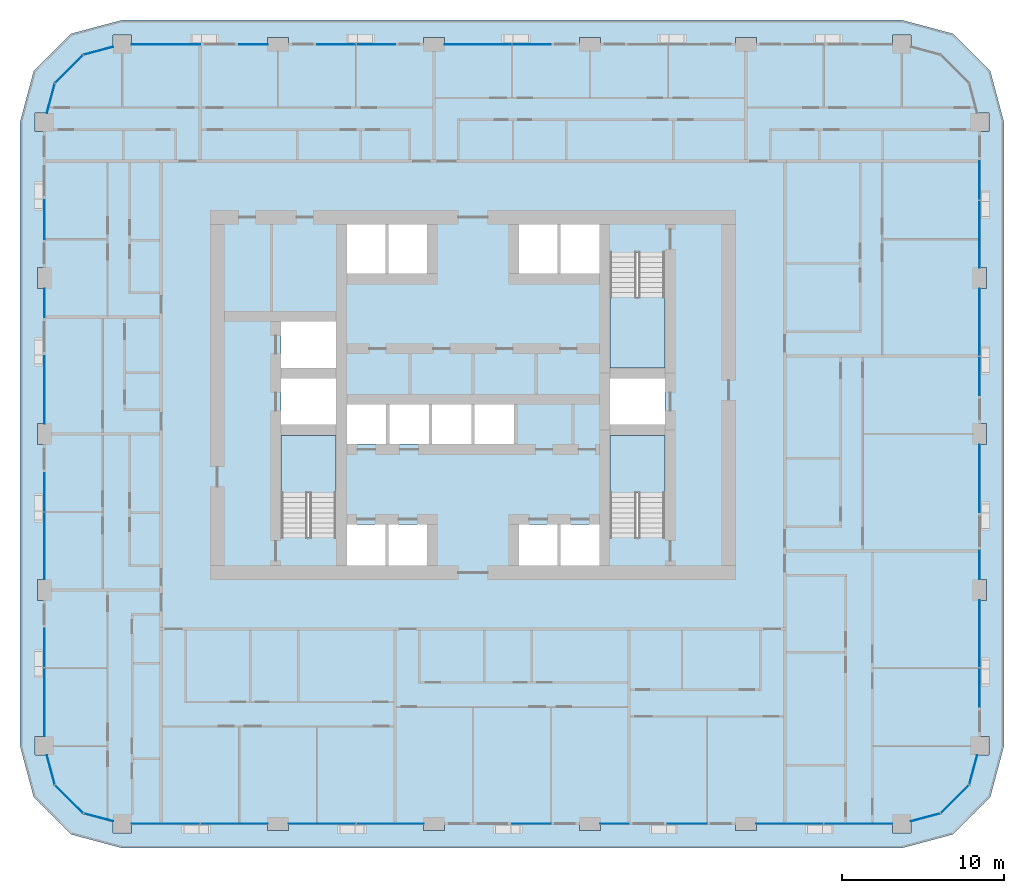
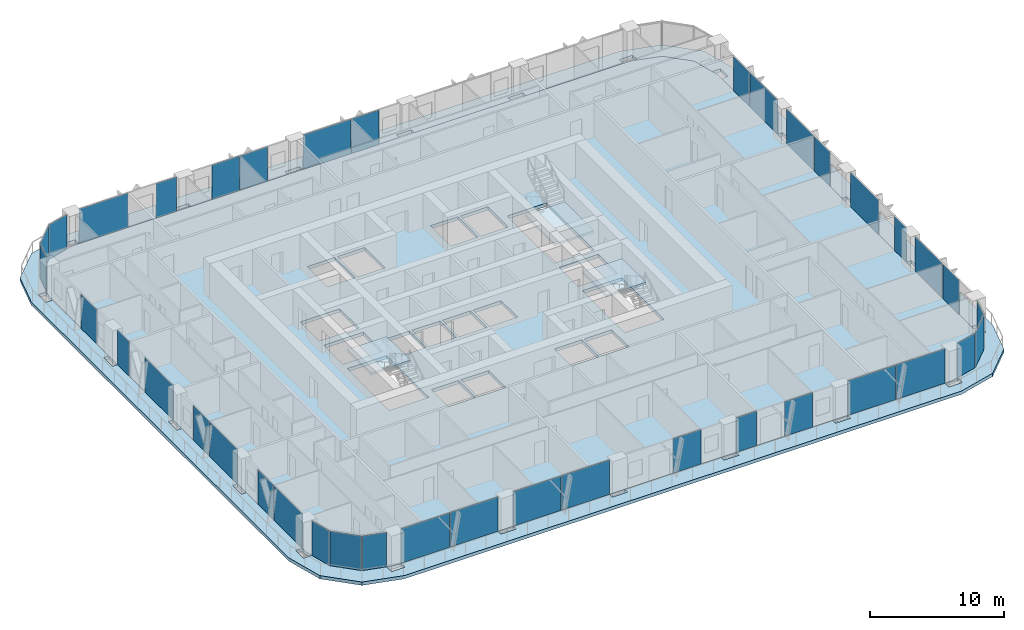
# One storey, part 7 of 22: 39 plates, 5 slabs, 22 elements without a shape of their own.
"""IFC4 building model written with IfcOpenShell, lengths in metres."""

import ifcopenshell
import ifcopenshell.guid

model = None  # the IFC model being written
_history = None  # IfcOwnerHistory: only IFC2X3 demands one
_inside = {}  # id of a spatial element -> (the spatial element, [elements in it])
_under = {}  # id of a project, library or spatial element -> (it, [spatial elements below it])
_declared = {}  # id of a project -> (the project, [libraries it declares])
_typed = {}  # id of a type object -> (the type object, [elements of that type])
_made_of = {}  # id of a material, layer set ... -> (it, [elements and type objects made of it])


def new_model(schema):
    """Start an empty IFC model of exactly this schema.

    Asked for "IFC4X3", IfcOpenShell would pick the latest addendum, in which some entities
    have other attributes; the version numbers below select the first issue.
    IFC2X3 requires an IfcOwnerHistory on every rooted entity: one is made here for all.
    """
    global model, _history
    if schema == "IFC4X3":
        model = ifcopenshell.file(schema_version=(4, 3, 0, 0))
    else:
        model = ifcopenshell.file(schema=schema)
    _inside.clear()
    _under.clear()
    _declared.clear()
    _typed.clear()
    _made_of.clear()
    _history = None
    if model.schema == "IFC2X3":
        org = make("IfcOrganization", Name="unknown")
        user = make(
            "IfcPersonAndOrganization",
            ThePerson=make("IfcPerson", FamilyName="unknown"),
            TheOrganization=org,
        )
        app = make(
            "IfcApplication",
            ApplicationDeveloper=org,
            Version="unknown",
            ApplicationFullName="unknown",
            ApplicationIdentifier="unknown",
        )
        _history = make(
            "IfcOwnerHistory",
            OwningUser=user,
            OwningApplication=app,
            ChangeAction="ADDED",
            CreationDate=0,
        )
    return model


def make(cls, **values):
    """One entity of the class cls with the attributes given. An attribute that is None is left unset."""
    return model.create_entity(
        cls, **{name: value for name, value in values.items() if value is not None}
    )


def rooted(cls, **values):
    """An entity with a GlobalId (a new one), such as an element, a storey or a relation."""
    return make(cls, GlobalId=ifcopenshell.guid.new(), OwnerHistory=_history, **values)


def si_unit(unit_type, name, prefix=None):
    """IfcSIUnit, for example si_unit("LENGTHUNIT", "METRE", prefix="MILLI")."""
    return make("IfcSIUnit", UnitType=unit_type, Prefix=prefix, Name=name)


def assignment(units):
    """IfcUnitAssignment: the units of a project."""
    return None if units is None else make("IfcUnitAssignment", Units=units)


def point(xyz):
    """IfcCartesianPoint."""
    return None if xyz is None else make("IfcCartesianPoint", Coordinates=xyz)


def direction(xyz):
    """IfcDirection."""
    return None if xyz is None else make("IfcDirection", DirectionRatios=xyz)


def frame(location, z_axis=None, x_axis=None):
    """IfcAxis2Placement3D, a coordinate frame: its origin and axes. An axis left out is left unset."""
    return make(
        "IfcAxis2Placement3D",
        Location=point(location),
        Axis=direction(z_axis),
        RefDirection=direction(x_axis),
    )


def frame_2d(location, x_axis=None):
    """IfcAxis2Placement2D, a coordinate frame in the plane: its origin and x axis."""
    return make(
        "IfcAxis2Placement2D", Location=point(location), RefDirection=direction(x_axis)
    )


def origin():
    """The frame at (0, 0, 0) with its axes left unset."""
    return frame((0.0, 0.0, 0.0))


def origin_2d():
    """The frame at (0, 0) in the plane with its x axis left unset."""
    return frame_2d((0.0, 0.0))


def place(relative_to, where):
    """IfcLocalPlacement: puts the frame where relative to a parent placement (None: the world)."""
    return make(
        "IfcLocalPlacement", PlacementRelTo=relative_to, RelativePlacement=where
    )


def context(
    kind, dimensions, precision=None, world=None, true_north=None, identifier=None
):
    """IfcGeometricRepresentationContext, for example the 3D "Model" context."""
    return make(
        "IfcGeometricRepresentationContext",
        ContextIdentifier=identifier,
        ContextType=kind,
        CoordinateSpaceDimension=dimensions,
        Precision=precision,
        WorldCoordinateSystem=world,
        TrueNorth=true_north,
    )


def subcontext(parent, identifier, kind, view, scale=None):
    """IfcGeometricRepresentationSubContext, for example "Body" below "Model"."""
    return make(
        "IfcGeometricRepresentationSubContext",
        ContextIdentifier=identifier,
        ContextType=kind,
        ParentContext=parent,
        TargetScale=scale,
        TargetView=view,
    )


def project(units=None, contexts=None):
    """IfcProject with its units and contexts."""
    return rooted(
        "IfcProject",
        Name="project",
        RepresentationContexts=contexts,
        UnitsInContext=assignment(units),
    )


def spatial(cls, under=None, at=None, **own):
    """A site, building, storey or space (cls), placed at a placement, below another one or the project."""
    s = rooted(cls, ObjectPlacement=at, **own)
    if under is not None:
        _under.setdefault(under.id(), (under, []))[1].append(s)
    return s


def polyline(points):
    """IfcPolyline through the points."""
    return make("IfcPolyline", Points=[point(p) for p in points])


def profile(cls, at=None, kind="AREA", **sizes):
    """A parametric profile (cls). Its sizes go by their IFC names, for example OverallWidth=200.0."""
    return make(cls, ProfileType=kind, Position=at, **sizes)


def rectangle(**sizes):
    """IfcRectangleProfileDef."""
    return profile("IfcRectangleProfileDef", **sizes)


def outline(outer, holes=None, kind="AREA"):
    """IfcArbitraryClosedProfileDef: a profile drawn as a closed curve; with holes, ...WithVoids."""
    if holes is None:
        return make("IfcArbitraryClosedProfileDef", ProfileType=kind, OuterCurve=outer)
    return make(
        "IfcArbitraryProfileDefWithVoids",
        ProfileType=kind,
        OuterCurve=outer,
        InnerCurves=holes,
    )


def extrude(swept, where, along, depth):
    """IfcExtrudedAreaSolid: the profile swept, set in the frame where, extruded along a direction by depth."""
    return make(
        "IfcExtrudedAreaSolid",
        SweptArea=swept,
        Position=where,
        ExtrudedDirection=direction(along),
        Depth=depth,
    )


def shape(context_of_items, identifier, shape_type, items):
    """IfcShapeRepresentation: the items that make up one representation, for example the "Body"."""
    return make(
        "IfcShapeRepresentation",
        ContextOfItems=context_of_items,
        RepresentationIdentifier=identifier,
        RepresentationType=shape_type,
        Items=items,
    )


def material(Name=None, Category=None):
    """IfcMaterial."""
    return make("IfcMaterial", Name=Name, Category=Category)


def layer(
    of_material, thickness, ventilated=None, Name=None, Category=None, Priority=None
):
    """IfcMaterialLayer: one layer of a wall or slab, of a material (None: an air gap)."""
    return make(
        "IfcMaterialLayer",
        Material=of_material,
        LayerThickness=thickness,
        IsVentilated=ventilated,
        Name=Name,
        Category=Category,
        Priority=Priority,
    )


def layer_set(layers, Name=None):
    """IfcMaterialLayerSet."""
    return make("IfcMaterialLayerSet", MaterialLayers=layers, LayerSetName=Name)


def made_of(thing, what):
    """Note that an element or type object is made of a material, layer set ...; save() writes the relation."""
    if what is not None:
        _made_of.setdefault(what.id(), (what, []))[1].append(thing)
    return thing


def type_object(cls, material=None, **own):
    """A type object (cls), such as IfcWallType, which elements share."""
    return made_of(rooted(cls, **own), material)


def element(
    cls,
    number,
    at=None,
    inside=None,
    cuts=None,
    type_object=None,
    material=None,
    context=None,
    identifier="Body",
    shape_type=None,
    held_by="IfcProductDefinitionShape",
    body=None,
    shapes=None,
    **own,
):
    """One element of the class cls, such as IfcWall. Its Tag is "e" and its number.

    at: its placement. inside: the storey or other place that contains it. cuts: it is an
    opening in that element (IfcRelVoidsElement). A single representation is given by context,
    identifier, shape_type and body (its items); several are given by shapes. held_by: the class
    of the entity that holds the representations. save() writes the other relations.
    """
    e = rooted(cls, Tag="e%d" % number, ObjectPlacement=at, **own)
    if body is not None:
        shapes = [shape(context, identifier, shape_type, body)]
    if shapes is not None:
        e.Representation = make(held_by, Representations=shapes)
    if inside is not None:
        _inside.setdefault(inside.id(), (inside, []))[1].append(e)
    if cuts is not None:
        rooted(
            "IfcRelVoidsElement", RelatingBuildingElement=cuts, RelatedOpeningElement=e
        )
    if type_object is not None:
        _typed.setdefault(type_object.id(), (type_object, []))[1].append(e)
    return made_of(e, material)


def aggregate(whole, parts):
    """IfcRelAggregates: a whole, such as a stair, and the parts it consists of."""
    return rooted("IfcRelAggregates", RelatingObject=whole, RelatedObjects=parts)


def save(model, path):
    """Write the relations noted so far, then the file.

    IfcRelAggregates (storeys below a building ...), IfcRelContainedInSpatialStructure (elements
    in a storey), IfcRelDefinesByType, IfcRelAssociatesMaterial and IfcRelDeclares: one each for
    every whole, place, type object, material and project.
    """
    for whole, parts in _under.values():
        aggregate(whole, parts)
    for where, things in _inside.values():
        rooted(
            "IfcRelContainedInSpatialStructure",
            RelatedElements=things,
            RelatingStructure=where,
        )
    for kind, things in _typed.values():
        rooted("IfcRelDefinesByType", RelatedObjects=things, RelatingType=kind)
    for what, things in _made_of.values():
        rooted("IfcRelAssociatesMaterial", RelatedObjects=things, RelatingMaterial=what)
    for by, libraries in _declared.values():
        rooted("IfcRelDeclares", RelatingContext=by, RelatedDefinitions=libraries)
    model.write(path)


model = new_model("IFC4")

# Units and contexts
model_context = context("Model", 3, precision=1e-05, world=origin(), true_north=direction((0.0, 1.0)))
body_context = subcontext(model_context, "Body", "Model", "MODEL_VIEW")
ifc_project = project(units=[si_unit("LENGTHUNIT", "METRE"), si_unit("AREAUNIT", "SQUARE_METRE"), si_unit("VOLUMEUNIT", "CUBIC_METRE"), si_unit("PLANEANGLEUNIT", "RADIAN"), si_unit("MASSUNIT", "GRAM", prefix="KILO")], contexts=[model_context])

# Site, building, storey
site_placement = place(None, origin())
site = spatial("IfcSite", under=ifc_project, at=site_placement, CompositionType="ELEMENT")
building_placement = place(site_placement, origin())
building = spatial("IfcBuilding", under=site, at=building_placement, Name="Madar Terraces", CompositionType="ELEMENT")
storey_placement = place(building_placement, frame((0.0, 0.0, 59.300048828125)))
storey = spatial("IfcBuildingStorey", under=building, at=storey_placement, Name="L14", CompositionType="ELEMENT", Elevation=59.300048828125)

# Slabs
ifc_material_1 = material(Name="Concrete C50/60", Category="concrete")
ifc_layer_1 = layer(ifc_material_1, 0.300048828125)
ifc_layer_set_1 = layer_set([ifc_layer_1], Name="Balcony band 300")
slab_type_1 = type_object("IfcSlabType", Name="Balcony band 300", PredefinedType="FLOOR", material=ifc_layer_set_1)
slab_1_placement = place(storey_placement, frame((0.0, 0.0, -0.300048828125)))
element("IfcSlab", 1, at=slab_1_placement, inside=storey, type_object=slab_type_1, Name="Balcony band", PredefinedType="FLOOR", context=body_context, shape_type="SweptSolid", body=[
    extrude(outline(polyline([(9.60009765625, -1.5), (6.449951171875, -0.656005859375), (4.14404296875, 1.64990234375), (3.300048828125, 4.800048828125), (3.300048828125, 43.199951171875), (4.14404296875, 46.35009765625), (6.449951171875, 48.656005859375), (9.60009765625, 49.5), (57.60009765625, 49.5), (60.75, 48.656005859375), (63.055908203125, 46.35009765625), (63.89990234375, 43.199951171875), (63.89990234375, 4.800048828125), (63.055908203125, 1.64990234375), (60.75, -0.656005859375), (57.60009765625, -1.5), (9.60009765625, -1.5)]), holes=[polyline([(10.175048828125, -0.574951171875), (10.175048828125, 0.0), (18.550048828125, 0.0), (18.550048828125, -0.425048828125), (19.85009765625, -0.425048828125), (19.85009765625, 0.0), (28.14990234375, 0.0), (28.14990234375, -0.425048828125), (29.449951171875, -0.425048828125), (29.449951171875, 0.0), (37.75, 0.0), (37.75, -0.425048828125), (39.050048828125, -0.425048828125), (39.050048828125, 0.0), (47.35009765625, 0.0), (47.35009765625, -0.425048828125), (48.64990234375, -0.425048828125), (48.64990234375, 0.0), (57.02490234375, 0.0), (57.02490234375, -0.574951171875), (58.175048828125, -0.574951171875), (58.175048828125, 0.154052734375), (60.0, 0.64306640625), (61.7568359375, 2.39990234375), (62.245849609375, 4.22509765625), (62.97509765625, 4.22509765625), (62.97509765625, 5.375), (62.39990234375, 5.375), (62.39990234375, 13.75), (62.824951171875, 13.75), (62.824951171875, 15.050048828125), (62.39990234375, 15.050048828125), (62.39990234375, 23.35009765625), (62.824951171875, 23.35009765625), (62.824951171875, 24.64990234375), (62.39990234375, 24.64990234375), (62.39990234375, 32.949951171875), (62.824951171875, 32.949951171875), (62.824951171875, 34.25), (62.39990234375, 34.25), (62.39990234375, 42.625), (62.97509765625, 42.625), (62.97509765625, 43.77490234375), (62.245849609375, 43.77490234375), (61.7568359375, 45.60009765625), (60.0, 47.35693359375), (58.175048828125, 47.845947265625), (58.175048828125, 48.574951171875), (57.02490234375, 48.574951171875), (57.02490234375, 48.0), (48.64990234375, 48.0), (48.64990234375, 48.425048828125), (47.35009765625, 48.425048828125), (47.35009765625, 48.0), (39.050048828125, 48.0), (39.050048828125, 48.425048828125), (37.75, 48.425048828125), (37.75, 48.0), (29.449951171875, 48.0), (29.449951171875, 48.425048828125), (28.14990234375, 48.425048828125), (28.14990234375, 48.0), (19.85009765625, 48.0), (19.85009765625, 48.425048828125), (18.550048828125, 48.425048828125), (18.550048828125, 48.0), (10.175048828125, 48.0), (10.175048828125, 48.574951171875), (9.02490234375, 48.574951171875), (9.02490234375, 47.845947265625), (7.199951171875, 47.35693359375), (5.443115234375, 45.60009765625), (4.9541015625, 43.77490234375), (4.22509765625, 43.77490234375), (4.22509765625, 42.625), (4.800048828125, 42.625), (4.800048828125, 34.25), (4.375, 34.25), (4.375, 32.949951171875), (4.800048828125, 32.949951171875), (4.800048828125, 24.64990234375), (4.375, 24.64990234375), (4.375, 23.35009765625), (4.800048828125, 23.35009765625), (4.800048828125, 15.050048828125), (4.375, 15.050048828125), (4.375, 13.75), (4.800048828125, 13.75), (4.800048828125, 5.375), (4.22509765625, 5.375), (4.22509765625, 4.22509765625), (4.9541015625, 4.22509765625), (5.443115234375, 2.39990234375), (7.199951171875, 0.64306640625), (9.02490234375, 0.154052734375), (9.02490234375, -0.574951171875), (10.175048828125, -0.574951171875)])]), origin(), (0.0, 0.0, 1.0), 0.300048828125),
])
ifc_material_2 = material(Name="Concrete C50/60", Category="concrete")
ifc_layer_2 = layer(ifc_material_2, 0.300048828125)
ifc_layer_set_2 = layer_set([ifc_layer_2], Name="FS2 PT flat slab 300")
slab_type_2 = type_object("IfcSlabType", Name="FS2 PT flat slab 300", PredefinedType="FLOOR", material=ifc_layer_set_2)
slab_2_placement = place(storey_placement, frame((0.0, 0.0, -0.300048828125)))
element("IfcSlab", 2, at=slab_2_placement, inside=storey, type_object=slab_type_2, Name="Floor slab L14 (1)", PredefinedType="FLOOR", context=body_context, shape_type="SweptSolid", body=[
    extrude(outline(polyline([(57.60009765625, 0.0), (60.0, 0.64306640625), (61.7568359375, 2.39990234375), (62.39990234375, 4.800048828125), (62.39990234375, 43.199951171875), (61.7568359375, 45.60009765625), (60.0, 47.35693359375), (57.60009765625, 48.0), (9.60009765625, 48.0), (7.199951171875, 47.35693359375), (5.443115234375, 45.60009765625), (4.800048828125, 43.199951171875), (4.800048828125, 4.800048828125), (5.443115234375, 2.39990234375), (7.199951171875, 0.64306640625), (9.60009765625, 0.0), (57.60009765625, 0.0)]), holes=[polyline([(23.425048828125, 15.89990234375), (23.425048828125, 18.425048828125), (25.800048828125, 18.425048828125), (25.800048828125, 15.89990234375), (23.425048828125, 15.89990234375)]), polyline([(26.0, 15.89990234375), (26.0, 18.425048828125), (28.375, 18.425048828125), (28.375, 15.89990234375), (26.0, 15.89990234375)]), polyline([(19.375, 17.64990234375), (19.375, 23.925048828125), (22.77490234375, 23.925048828125), (22.77490234375, 17.64990234375), (19.375, 17.64990234375)]), polyline([(23.425048828125, 23.375), (23.425048828125, 25.824951171875), (25.85009765625, 25.824951171875), (25.85009765625, 23.375), (23.425048828125, 23.375)]), polyline([(26.050048828125, 23.375), (26.050048828125, 25.824951171875), (28.47509765625, 25.824951171875), (28.47509765625, 23.375), (26.050048828125, 23.375)]), polyline([(19.375, 24.574951171875), (19.375, 27.425048828125), (22.77490234375, 27.425048828125), (22.77490234375, 24.574951171875), (19.375, 24.574951171875)]), polyline([(19.375, 28.074951171875), (19.375, 30.925048828125), (22.77490234375, 30.925048828125), (22.77490234375, 28.074951171875), (19.375, 28.074951171875)]), polyline([(23.425048828125, 36.89990234375), (25.800048828125, 36.89990234375), (25.800048828125, 33.875), (23.425048828125, 33.875), (23.425048828125, 36.89990234375)]), polyline([(26.0, 36.89990234375), (28.375, 36.89990234375), (28.375, 33.875), (26.0, 33.875), (26.0, 36.89990234375)]), polyline([(34.02490234375, 15.89990234375), (34.02490234375, 18.425048828125), (36.39990234375, 18.425048828125), (36.39990234375, 15.89990234375), (34.02490234375, 15.89990234375)]), polyline([(36.60009765625, 15.89990234375), (36.60009765625, 18.425048828125), (38.97509765625, 18.425048828125), (38.97509765625, 15.89990234375), (36.60009765625, 15.89990234375)]), polyline([(39.625, 17.64990234375), (39.625, 23.925048828125), (43.02490234375, 23.925048828125), (43.02490234375, 17.64990234375), (39.625, 17.64990234375)]), polyline([(28.675048828125, 23.375), (28.675048828125, 25.824951171875), (31.10009765625, 25.824951171875), (31.10009765625, 23.375), (28.675048828125, 23.375)]), polyline([(31.300048828125, 23.375), (31.300048828125, 25.824951171875), (33.72509765625, 25.824951171875), (33.72509765625, 23.375), (31.300048828125, 23.375)]), polyline([(39.625, 24.574951171875), (39.625, 27.425048828125), (43.02490234375, 27.425048828125), (43.02490234375, 24.574951171875), (39.625, 24.574951171875)]), polyline([(39.625, 28.074951171875), (39.625, 35.14990234375), (43.02490234375, 35.14990234375), (43.02490234375, 28.074951171875), (39.625, 28.074951171875)]), polyline([(34.02490234375, 36.89990234375), (36.39990234375, 36.89990234375), (36.39990234375, 33.875), (34.02490234375, 33.875), (34.02490234375, 36.89990234375)]), polyline([(36.60009765625, 36.89990234375), (38.97509765625, 36.89990234375), (38.97509765625, 33.875), (36.60009765625, 33.875), (36.60009765625, 36.89990234375)])]), origin(), (0.0, 0.0, 1.0), 0.300048828125),
])

# Curtain wall, plates
ifc_material_3 = material(Name="Glass, ceramic frit dark grey, with black aluminium frame", Category="aluminium")
ifc_layer_3 = layer(ifc_material_3, 0.199951171875)
ifc_layer_set_3 = layer_set([ifc_layer_3], Name="Facade curtain wall, fritted glass")
curtain_wall_type = type_object("IfcCurtainWallType", Name="Facade curtain wall, fritted glass", PredefinedType="NOTDEFINED", material=ifc_layer_set_3)
curtain_wall_1_placement = place(storey_placement, origin())
curtain_wall_1 = element("IfcCurtainWall", 3, at=curtain_wall_1_placement, inside=storey, type_object=curtain_wall_type, Name="Outer skin curtain wall south bay 1", PredefinedType="NOTDEFINED")
ifc_material_4 = material(Name="Glass, ceramic frit dark grey", Category="glass")
ifc_layer_4 = layer(ifc_material_4, 0.028076171875)
ifc_layer_set_4 = layer_set([ifc_layer_4], Name="Facade glass panel 28")
plate_type = type_object("IfcPlateType", Name="Facade glass panel 28", PredefinedType="CURTAIN_PANEL", material=ifc_layer_set_4)
plate_1_placement = place(storey_placement, frame((12.2724609375, 0.0, 0.0), z_axis=(0.0, 0.0, 1.0), x_axis=(1.0, 0.0, 0.0)))
plate_1 = element("IfcPlate", 4, at=plate_1_placement, type_object=plate_type, Name="Panel 1", PredefinedType="CURTAIN_PANEL", context=body_context, shape_type="SweptSolid", body=[
    extrude(rectangle(XDim=4.195068359375, YDim=0.028076171875, at=origin_2d()), origin(), (0.0, 0.0, 1.0), 3.139892578125),
])
plate_2_placement = place(storey_placement, frame((16.489990234375, 0.0, 0.0), z_axis=(0.0, 0.0, 1.0), x_axis=(1.0, 0.0, 0.0)))
plate_2 = element("IfcPlate", 5, at=plate_2_placement, type_object=plate_type, Name="Panel 2", PredefinedType="CURTAIN_PANEL", context=body_context, shape_type="SweptSolid", body=[
    extrude(rectangle(XDim=4.1201171875, YDim=0.028076171875, at=origin_2d()), origin(), (0.0, 0.0, 1.0), 3.139892578125),
])
aggregate(curtain_wall_1, [plate_1, plate_2])

curtain_wall_2_placement = place(storey_placement, origin())
curtain_wall_2 = element("IfcCurtainWall", 6, at=curtain_wall_2_placement, inside=storey, type_object=curtain_wall_type, Name="Outer skin curtain wall south bay 2", PredefinedType="NOTDEFINED")
plate_3_placement = place(storey_placement, frame((21.909912109375, 0.0, 0.0), z_axis=(0.0, 0.0, 1.0), x_axis=(1.0, 0.0, 0.0)))
plate_3 = element("IfcPlate", 7, at=plate_3_placement, type_object=plate_type, Name="Panel 1", PredefinedType="CURTAIN_PANEL", context=body_context, shape_type="SweptSolid", body=[
    extrude(rectangle(XDim=4.1201171875, YDim=0.028076171875, at=origin_2d()), origin(), (0.0, 0.0, 1.0), 3.139892578125),
])
plate_4_placement = place(storey_placement, frame((26.090087890625, 0.0, 0.0), z_axis=(0.0, 0.0, 1.0), x_axis=(1.0, 0.0, 0.0)))
plate_4 = element("IfcPlate", 8, at=plate_4_placement, type_object=plate_type, Name="Panel 2", PredefinedType="CURTAIN_PANEL", context=body_context, shape_type="SweptSolid", body=[
    extrude(rectangle(XDim=4.1201171875, YDim=0.028076171875, at=origin_2d()), origin(), (0.0, 0.0, 1.0), 3.139892578125),
])
aggregate(curtain_wall_2, [plate_3, plate_4])

# Curtain wall, plate
curtain_wall_3_placement = place(storey_placement, origin())
curtain_wall_3 = element("IfcCurtainWall", 9, at=curtain_wall_3_placement, inside=storey, type_object=curtain_wall_type, Name="Outer skin curtain wall south bay 3", PredefinedType="NOTDEFINED")
plate_5_placement = place(storey_placement, frame((34.800048828125, 0.0, 0.0), z_axis=(0.0, 0.0, 1.0), x_axis=(1.0, 0.0, 0.0)))
plate_5 = element("IfcPlate", 10, at=plate_5_placement, type_object=plate_type, Name="Panel 1", PredefinedType="CURTAIN_PANEL", context=body_context, shape_type="SweptSolid", body=[
    extrude(rectangle(XDim=2.39990234375, YDim=0.028076171875, at=origin_2d()), origin(), (0.0, 0.0, 1.0), 3.139892578125),
])
aggregate(curtain_wall_3, [plate_5])

# Curtain wall, plates
curtain_wall_4_placement = place(storey_placement, origin())
curtain_wall_4 = element("IfcCurtainWall", 11, at=curtain_wall_4_placement, inside=storey, type_object=curtain_wall_type, Name="Outer skin curtain wall south bay 4", PredefinedType="NOTDEFINED")
plate_6_placement = place(storey_placement, frame((39.925048828125, 0.0, 0.0), z_axis=(0.0, 0.0, 1.0), x_axis=(1.0, 0.0, 0.0)))
plate_6 = element("IfcPlate", 12, at=plate_6_placement, type_object=plate_type, Name="Panel 1", PredefinedType="CURTAIN_PANEL", context=body_context, shape_type="SweptSolid", body=[
    extrude(rectangle(XDim=1.75, YDim=0.028076171875, at=origin_2d()), origin(), (0.0, 0.0, 1.0), 3.139892578125),
])
plate_7_placement = place(storey_placement, frame((44.39990234375, 0.0, 0.0), z_axis=(0.0, 0.0, 1.0), x_axis=(1.0, 0.0, 0.0)))
plate_7 = element("IfcPlate", 13, at=plate_7_placement, type_object=plate_type, Name="Panel 2", PredefinedType="CURTAIN_PANEL", context=body_context, shape_type="SweptSolid", body=[
    extrude(rectangle(XDim=2.39990234375, YDim=0.028076171875, at=origin_2d()), origin(), (0.0, 0.0, 1.0), 3.139892578125),
])
aggregate(curtain_wall_4, [plate_6, plate_7])

curtain_wall_5_placement = place(storey_placement, origin())
curtain_wall_5 = element("IfcCurtainWall", 14, at=curtain_wall_5_placement, inside=storey, type_object=curtain_wall_type, Name="Outer skin curtain wall south bay 5", PredefinedType="NOTDEFINED")
plate_8_placement = place(storey_placement, frame((50.7099609375, 0.0, 0.0), z_axis=(0.0, 0.0, 1.0), x_axis=(1.0, 0.0, 0.0)))
plate_8 = element("IfcPlate", 15, at=plate_8_placement, type_object=plate_type, Name="Panel 1", PredefinedType="CURTAIN_PANEL", context=body_context, shape_type="SweptSolid", body=[
    extrude(rectangle(XDim=4.1201171875, YDim=0.028076171875, at=origin_2d()), origin(), (0.0, 0.0, 1.0), 3.139892578125),
])
plate_9_placement = place(storey_placement, frame((54.927490234375, 0.0, 0.0), z_axis=(0.0, 0.0, 1.0), x_axis=(1.0, 0.0, 0.0)))
plate_9 = element("IfcPlate", 16, at=plate_9_placement, type_object=plate_type, Name="Panel 2", PredefinedType="CURTAIN_PANEL", context=body_context, shape_type="SweptSolid", body=[
    extrude(rectangle(XDim=4.195068359375, YDim=0.028076171875, at=origin_2d()), origin(), (0.0, 0.0, 1.0), 3.139892578125),
])
aggregate(curtain_wall_5, [plate_8, plate_9])

curtain_wall_6_placement = place(storey_placement, origin())
curtain_wall_6 = element("IfcCurtainWall", 17, at=curtain_wall_6_placement, inside=storey, type_object=curtain_wall_type, Name="Outer skin curtain wall east bay 1", PredefinedType="NOTDEFINED")
plate_10_placement = place(storey_placement, frame((62.39990234375, 8.385009765625, 0.0), z_axis=(0.0, 0.0, 1.0), x_axis=(0.0, 1.0, 0.0)))
plate_10 = element("IfcPlate", 18, at=plate_10_placement, type_object=plate_type, Name="Panel 1", PredefinedType="CURTAIN_PANEL", context=body_context, shape_type="SweptSolid", body=[
    extrude(rectangle(XDim=2.3701171875, YDim=0.028076171875, at=origin_2d()), origin(), (0.0, 0.0, 1.0), 3.139892578125),
])
plate_11_placement = place(storey_placement, frame((62.39990234375, 11.68994140625, 0.0), z_axis=(0.0, 0.0, 1.0), x_axis=(0.0, 1.0, 0.0)))
plate_11 = element("IfcPlate", 19, at=plate_11_placement, type_object=plate_type, Name="Panel 2", PredefinedType="CURTAIN_PANEL", context=body_context, shape_type="SweptSolid", body=[
    extrude(rectangle(XDim=4.1201171875, YDim=0.028076171875, at=origin_2d()), origin(), (0.0, 0.0, 1.0), 3.139892578125),
])
aggregate(curtain_wall_6, [plate_10, plate_11])

curtain_wall_7_placement = place(storey_placement, origin())
curtain_wall_7 = element("IfcCurtainWall", 20, at=curtain_wall_7_placement, inside=storey, type_object=curtain_wall_type, Name="Outer skin curtain wall east bay 2", PredefinedType="NOTDEFINED")
plate_12_placement = place(storey_placement, frame((62.39990234375, 15.925048828125, 0.0), z_axis=(0.0, 0.0, 1.0), x_axis=(0.0, 1.0, 0.0)))
plate_12 = element("IfcPlate", 21, at=plate_12_placement, type_object=plate_type, Name="Panel 1", PredefinedType="CURTAIN_PANEL", context=body_context, shape_type="SweptSolid", body=[
    extrude(rectangle(XDim=1.75, YDim=0.028076171875, at=origin_2d()), origin(), (0.0, 0.0, 1.0), 3.139892578125),
])
plate_13_placement = place(storey_placement, frame((62.39990234375, 21.27490234375, 0.0), z_axis=(0.0, 0.0, 1.0), x_axis=(0.0, 1.0, 0.0)))
plate_13 = element("IfcPlate", 22, at=plate_13_placement, type_object=plate_type, Name="Panel 2", PredefinedType="CURTAIN_PANEL", context=body_context, shape_type="SweptSolid", body=[
    extrude(rectangle(XDim=4.14990234375, YDim=0.028076171875, at=origin_2d()), origin(), (0.0, 0.0, 1.0), 3.139892578125),
])
aggregate(curtain_wall_7, [plate_12, plate_13])

curtain_wall_8_placement = place(storey_placement, origin())
curtain_wall_8 = element("IfcCurtainWall", 23, at=curtain_wall_8_placement, inside=storey, type_object=curtain_wall_type, Name="Outer skin curtain wall east bay 3", PredefinedType="NOTDEFINED")
plate_14_placement = place(storey_placement, frame((62.39990234375, 27.5849609375, 0.0), z_axis=(0.0, 0.0, 1.0), x_axis=(0.0, 1.0, 0.0)))
plate_14 = element("IfcPlate", 24, at=plate_14_placement, type_object=plate_type, Name="Panel 1", PredefinedType="CURTAIN_PANEL", context=body_context, shape_type="SweptSolid", body=[
    extrude(rectangle(XDim=2.3701171875, YDim=0.028076171875, at=origin_2d()), origin(), (0.0, 0.0, 1.0), 3.139892578125),
])
plate_15_placement = place(storey_placement, frame((62.39990234375, 30.889892578125, 0.0), z_axis=(0.0, 0.0, 1.0), x_axis=(0.0, 1.0, 0.0)))
plate_15 = element("IfcPlate", 25, at=plate_15_placement, type_object=plate_type, Name="Panel 2", PredefinedType="CURTAIN_PANEL", context=body_context, shape_type="SweptSolid", body=[
    extrude(rectangle(XDim=4.1201171875, YDim=0.028076171875, at=origin_2d()), origin(), (0.0, 0.0, 1.0), 3.139892578125),
])
aggregate(curtain_wall_8, [plate_14, plate_15])

curtain_wall_9_placement = place(storey_placement, origin())
curtain_wall_9 = element("IfcCurtainWall", 26, at=curtain_wall_9_placement, inside=storey, type_object=curtain_wall_type, Name="Outer skin curtain wall east bay 4", PredefinedType="NOTDEFINED")
plate_16_placement = place(storey_placement, frame((62.39990234375, 36.31005859375, 0.0), z_axis=(0.0, 0.0, 1.0), x_axis=(0.0, 1.0, 0.0)))
plate_16 = element("IfcPlate", 27, at=plate_16_placement, type_object=plate_type, Name="Panel 1", PredefinedType="CURTAIN_PANEL", context=body_context, shape_type="SweptSolid", body=[
    extrude(rectangle(XDim=4.1201171875, YDim=0.028076171875, at=origin_2d()), origin(), (0.0, 0.0, 1.0), 3.139892578125),
])
plate_17_placement = place(storey_placement, frame((62.39990234375, 39.614990234375, 0.0), z_axis=(0.0, 0.0, 1.0), x_axis=(0.0, 1.0, 0.0)))
plate_17 = element("IfcPlate", 28, at=plate_17_placement, type_object=plate_type, Name="Panel 2", PredefinedType="CURTAIN_PANEL", context=body_context, shape_type="SweptSolid", body=[
    extrude(rectangle(XDim=2.3701171875, YDim=0.028076171875, at=origin_2d()), origin(), (0.0, 0.0, 1.0), 3.139892578125),
])
aggregate(curtain_wall_9, [plate_16, plate_17])

curtain_wall_10_placement = place(storey_placement, origin())
curtain_wall_10 = element("IfcCurtainWall", 29, at=curtain_wall_10_placement, inside=storey, type_object=curtain_wall_type, Name="Outer skin curtain wall north bay 3", PredefinedType="NOTDEFINED")
plate_18_placement = place(storey_placement, frame((34.81494140625, 48.0, 0.0), z_axis=(0.0, 0.0, 1.0), x_axis=(-1.0, 0.0, 0.0)))
plate_18 = element("IfcPlate", 30, at=plate_18_placement, type_object=plate_type, Name="Panel 1", PredefinedType="CURTAIN_PANEL", context=body_context, shape_type="SweptSolid", body=[
    extrude(rectangle(XDim=2.3701171875, YDim=0.028076171875, at=origin_2d()), origin(), (0.0, 0.0, 1.0), 3.139892578125),
])
plate_19_placement = place(storey_placement, frame((31.510009765625, 48.0, 0.0), z_axis=(0.0, 0.0, 1.0), x_axis=(-1.0, 0.0, 0.0)))
plate_19 = element("IfcPlate", 31, at=plate_19_placement, type_object=plate_type, Name="Panel 2", PredefinedType="CURTAIN_PANEL", context=body_context, shape_type="SweptSolid", body=[
    extrude(rectangle(XDim=4.1201171875, YDim=0.028076171875, at=origin_2d()), origin(), (0.0, 0.0, 1.0), 3.139892578125),
])
aggregate(curtain_wall_10, [plate_18, plate_19])

curtain_wall_11_placement = place(storey_placement, origin())
curtain_wall_11 = element("IfcCurtainWall", 32, at=curtain_wall_11_placement, inside=storey, type_object=curtain_wall_type, Name="Outer skin curtain wall north bay 4", PredefinedType="NOTDEFINED")
plate_20_placement = place(storey_placement, frame((25.215087890625, 48.0, 0.0), z_axis=(0.0, 0.0, 1.0), x_axis=(-1.0, 0.0, 0.0)))
plate_20 = element("IfcPlate", 33, at=plate_20_placement, type_object=plate_type, Name="Panel 1", PredefinedType="CURTAIN_PANEL", context=body_context, shape_type="SweptSolid", body=[
    extrude(rectangle(XDim=2.3701171875, YDim=0.028076171875, at=origin_2d()), origin(), (0.0, 0.0, 1.0), 3.139892578125),
])
plate_21_placement = place(storey_placement, frame((22.784912109375, 48.0, 0.0), z_axis=(0.0, 0.0, 1.0), x_axis=(-1.0, 0.0, 0.0)))
plate_21 = element("IfcPlate", 34, at=plate_21_placement, type_object=plate_type, Name="Panel 2", PredefinedType="CURTAIN_PANEL", context=body_context, shape_type="SweptSolid", body=[
    extrude(rectangle(XDim=2.3701171875, YDim=0.028076171875, at=origin_2d()), origin(), (0.0, 0.0, 1.0), 3.139892578125),
])
aggregate(curtain_wall_11, [plate_20, plate_21])

curtain_wall_12_placement = place(storey_placement, origin())
curtain_wall_12 = element("IfcCurtainWall", 35, at=curtain_wall_12_placement, inside=storey, type_object=curtain_wall_type, Name="Outer skin curtain wall north bay 5", PredefinedType="NOTDEFINED")
plate_22_placement = place(storey_placement, frame((17.675048828125, 48.0, 0.0), z_axis=(0.0, 0.0, 1.0), x_axis=(-1.0, 0.0, 0.0)))
plate_22 = element("IfcPlate", 36, at=plate_22_placement, type_object=plate_type, Name="Panel 1", PredefinedType="CURTAIN_PANEL", context=body_context, shape_type="SweptSolid", body=[
    extrude(rectangle(XDim=1.75, YDim=0.028076171875, at=origin_2d()), origin(), (0.0, 0.0, 1.0), 3.139892578125),
])
plate_23_placement = place(storey_placement, frame((12.28759765625, 48.0, 0.0), z_axis=(0.0, 0.0, 1.0), x_axis=(-1.0, 0.0, 0.0)))
plate_23 = element("IfcPlate", 37, at=plate_23_placement, type_object=plate_type, Name="Panel 2", PredefinedType="CURTAIN_PANEL", context=body_context, shape_type="SweptSolid", body=[
    extrude(rectangle(XDim=4.22509765625, YDim=0.028076171875, at=origin_2d()), origin(), (0.0, 0.0, 1.0), 3.139892578125),
])
aggregate(curtain_wall_12, [plate_22, plate_23])

# Curtain wall, plate
curtain_wall_13_placement = place(storey_placement, origin())
curtain_wall_13 = element("IfcCurtainWall", 38, at=curtain_wall_13_placement, inside=storey, type_object=curtain_wall_type, Name="Outer skin curtain wall west bay 1", PredefinedType="NOTDEFINED")
plate_24_placement = place(storey_placement, frame((4.800048828125, 37.199951171875, 0.0), z_axis=(0.0, 0.0, 1.0), x_axis=(0.0, -1.0, 0.0)))
plate_24 = element("IfcPlate", 39, at=plate_24_placement, type_object=plate_type, Name="Panel 1", PredefinedType="CURTAIN_PANEL", context=body_context, shape_type="SweptSolid", body=[
    extrude(rectangle(XDim=2.39990234375, YDim=0.028076171875, at=origin_2d()), origin(), (0.0, 0.0, 1.0), 3.139892578125),
])
aggregate(curtain_wall_13, [plate_24])

# Curtain wall, plates
curtain_wall_14_placement = place(storey_placement, origin())
curtain_wall_14 = element("IfcCurtainWall", 40, at=curtain_wall_14_placement, inside=storey, type_object=curtain_wall_type, Name="Outer skin curtain wall west bay 2", PredefinedType="NOTDEFINED")
plate_25_placement = place(storey_placement, frame((4.800048828125, 32.074951171875, 0.0), z_axis=(0.0, 0.0, 1.0), x_axis=(0.0, -1.0, 0.0)))
plate_25 = element("IfcPlate", 41, at=plate_25_placement, type_object=plate_type, Name="Panel 1", PredefinedType="CURTAIN_PANEL", context=body_context, shape_type="SweptSolid", body=[
    extrude(rectangle(XDim=1.75, YDim=0.028076171875, at=origin_2d()), origin(), (0.0, 0.0, 1.0), 3.139892578125),
])
plate_26_placement = place(storey_placement, frame((4.800048828125, 26.72509765625, 0.0), z_axis=(0.0, 0.0, 1.0), x_axis=(0.0, -1.0, 0.0)))
plate_26 = element("IfcPlate", 42, at=plate_26_placement, type_object=plate_type, Name="Panel 2", PredefinedType="CURTAIN_PANEL", context=body_context, shape_type="SweptSolid", body=[
    extrude(rectangle(XDim=4.14990234375, YDim=0.028076171875, at=origin_2d()), origin(), (0.0, 0.0, 1.0), 3.139892578125),
])
aggregate(curtain_wall_14, [plate_25, plate_26])

curtain_wall_15_placement = place(storey_placement, origin())
curtain_wall_15 = element("IfcCurtainWall", 43, at=curtain_wall_15_placement, inside=storey, type_object=curtain_wall_type, Name="Outer skin curtain wall west bay 3", PredefinedType="NOTDEFINED")
plate_27_placement = place(storey_placement, frame((4.800048828125, 20.4150390625, 0.0), z_axis=(0.0, 0.0, 1.0), x_axis=(0.0, -1.0, 0.0)))
plate_27 = element("IfcPlate", 44, at=plate_27_placement, type_object=plate_type, Name="Panel 1", PredefinedType="CURTAIN_PANEL", context=body_context, shape_type="SweptSolid", body=[
    extrude(rectangle(XDim=2.3701171875, YDim=0.028076171875, at=origin_2d()), origin(), (0.0, 0.0, 1.0), 3.139892578125),
])
plate_28_placement = place(storey_placement, frame((4.800048828125, 17.110107421875, 0.0), z_axis=(0.0, 0.0, 1.0), x_axis=(0.0, -1.0, 0.0)))
plate_28 = element("IfcPlate", 45, at=plate_28_placement, type_object=plate_type, Name="Panel 2", PredefinedType="CURTAIN_PANEL", context=body_context, shape_type="SweptSolid", body=[
    extrude(rectangle(XDim=4.1201171875, YDim=0.028076171875, at=origin_2d()), origin(), (0.0, 0.0, 1.0), 3.139892578125),
])
aggregate(curtain_wall_15, [plate_27, plate_28])

curtain_wall_16_placement = place(storey_placement, origin())
curtain_wall_16 = element("IfcCurtainWall", 46, at=curtain_wall_16_placement, inside=storey, type_object=curtain_wall_type, Name="Outer skin curtain wall west bay 4", PredefinedType="NOTDEFINED")
plate_29_placement = place(storey_placement, frame((4.800048828125, 10.81494140625, 0.0), z_axis=(0.0, 0.0, 1.0), x_axis=(0.0, -1.0, 0.0)))
plate_29 = element("IfcPlate", 47, at=plate_29_placement, type_object=plate_type, Name="Panel 1", PredefinedType="CURTAIN_PANEL", context=body_context, shape_type="SweptSolid", body=[
    extrude(rectangle(XDim=2.3701171875, YDim=0.028076171875, at=origin_2d()), origin(), (0.0, 0.0, 1.0), 3.139892578125),
])
plate_30_placement = place(storey_placement, frame((4.800048828125, 7.472412109375, 0.0), z_axis=(0.0, 0.0, 1.0), x_axis=(0.0, -1.0, 0.0)))
plate_30 = element("IfcPlate", 48, at=plate_30_placement, type_object=plate_type, Name="Panel 2", PredefinedType="CURTAIN_PANEL", context=body_context, shape_type="SweptSolid", body=[
    extrude(rectangle(XDim=4.195068359375, YDim=0.028076171875, at=origin_2d()), origin(), (0.0, 0.0, 1.0), 3.139892578125),
])
aggregate(curtain_wall_16, [plate_29, plate_30])

curtain_wall_17_placement = place(storey_placement, origin())
curtain_wall_17 = element("IfcCurtainWall", 49, at=curtain_wall_17_placement, inside=storey, type_object=curtain_wall_type, Name="Outer skin curtain wall south-east corner", PredefinedType="NOTDEFINED")
plate_31_placement = place(storey_placement, frame((59.072998046875, 0.394775390625, 0.0), z_axis=(0.0, 0.0, 1.0), x_axis=(0.965925832509, 0.258819021888, 0.0)))
plate_31 = element("IfcPlate", 50, at=plate_31_placement, type_object=plate_type, Name="Panel 1", PredefinedType="CURTAIN_PANEL", context=body_context, shape_type="SweptSolid", body=[
    extrude(rectangle(XDim=1.859375, YDim=0.028076171875, at=origin_2d()), origin(), (0.0, 0.0, 1.0), 3.139892578125),
])
plate_32_placement = place(storey_placement, frame((60.87841796875, 1.521484375, 0.0), z_axis=(0.0, 0.0, 1.0), x_axis=(0.707106781187, 0.707106781187, 0.0)))
plate_32 = element("IfcPlate", 51, at=plate_32_placement, type_object=plate_type, Name="Panel 2", PredefinedType="CURTAIN_PANEL", context=body_context, shape_type="SweptSolid", body=[
    extrude(rectangle(XDim=2.424560546875, YDim=0.028076171875, at=origin_2d()), origin(), (0.0, 0.0, 1.0), 3.139892578125),
])
plate_33_placement = place(storey_placement, frame((62.00537109375, 3.326904296875, 0.0), z_axis=(0.0, 0.0, 1.0), x_axis=(0.258819021888, 0.965925832509, 0.0)))
plate_33 = element("IfcPlate", 52, at=plate_33_placement, type_object=plate_type, Name="Panel 3", PredefinedType="CURTAIN_PANEL", context=body_context, shape_type="SweptSolid", body=[
    extrude(rectangle(XDim=1.859375, YDim=0.028076171875, at=origin_2d()), origin(), (0.0, 0.0, 1.0), 3.139892578125),
])
aggregate(curtain_wall_17, [plate_31, plate_32, plate_33])

curtain_wall_18_placement = place(storey_placement, origin())
curtain_wall_18 = element("IfcCurtainWall", 53, at=curtain_wall_18_placement, inside=storey, type_object=curtain_wall_type, Name="Outer skin curtain wall north-west corner", PredefinedType="NOTDEFINED")
plate_34_placement = place(storey_placement, frame((8.126953125, 47.605224609375, 0.0), z_axis=(0.0, 0.0, 1.0), x_axis=(-0.965925832509, -0.258819021888, 0.0)))
plate_34 = element("IfcPlate", 54, at=plate_34_placement, type_object=plate_type, Name="Panel 1", PredefinedType="CURTAIN_PANEL", context=body_context, shape_type="SweptSolid", body=[
    extrude(rectangle(XDim=1.859375, YDim=0.028076171875, at=origin_2d()), origin(), (0.0, 0.0, 1.0), 3.139892578125),
])
plate_35_placement = place(storey_placement, frame((6.321533203125, 46.478515625, 0.0), z_axis=(0.0, 0.0, 1.0), x_axis=(-0.707106781187, -0.707106781187, 0.0)))
plate_35 = element("IfcPlate", 55, at=plate_35_placement, type_object=plate_type, Name="Panel 2", PredefinedType="CURTAIN_PANEL", context=body_context, shape_type="SweptSolid", body=[
    extrude(rectangle(XDim=2.424560546875, YDim=0.028076171875, at=origin_2d()), origin(), (0.0, 0.0, 1.0), 3.139892578125),
])
plate_36_placement = place(storey_placement, frame((5.194580078125, 44.673095703125, 0.0), z_axis=(0.0, 0.0, 1.0), x_axis=(-0.258819021888, -0.965925832509, 0.0)))
plate_36 = element("IfcPlate", 56, at=plate_36_placement, type_object=plate_type, Name="Panel 3", PredefinedType="CURTAIN_PANEL", context=body_context, shape_type="SweptSolid", body=[
    extrude(rectangle(XDim=1.859375, YDim=0.028076171875, at=origin_2d()), origin(), (0.0, 0.0, 1.0), 3.139892578125),
])
aggregate(curtain_wall_18, [plate_34, plate_35, plate_36])

curtain_wall_19_placement = place(storey_placement, origin())
curtain_wall_19 = element("IfcCurtainWall", 57, at=curtain_wall_19_placement, inside=storey, type_object=curtain_wall_type, Name="Outer skin curtain wall south-west corner", PredefinedType="NOTDEFINED")
plate_37_placement = place(storey_placement, frame((5.194580078125, 3.326904296875, 0.0), z_axis=(0.0, 0.0, 1.0), x_axis=(0.258819021888, -0.965925832509, 0.0)))
plate_37 = element("IfcPlate", 58, at=plate_37_placement, type_object=plate_type, Name="Panel 1", PredefinedType="CURTAIN_PANEL", context=body_context, shape_type="SweptSolid", body=[
    extrude(rectangle(XDim=1.859375, YDim=0.028076171875, at=origin_2d()), origin(), (0.0, 0.0, 1.0), 3.139892578125),
])
plate_38_placement = place(storey_placement, frame((6.321533203125, 1.521484375, 0.0), z_axis=(0.0, 0.0, 1.0), x_axis=(0.707106781187, -0.707106781187, 0.0)))
plate_38 = element("IfcPlate", 59, at=plate_38_placement, type_object=plate_type, Name="Panel 2", PredefinedType="CURTAIN_PANEL", context=body_context, shape_type="SweptSolid", body=[
    extrude(rectangle(XDim=2.424560546875, YDim=0.028076171875, at=origin_2d()), origin(), (0.0, 0.0, 1.0), 3.139892578125),
])
plate_39_placement = place(storey_placement, frame((8.126953125, 0.394775390625, 0.0), z_axis=(0.0, 0.0, 1.0), x_axis=(0.965925832509, -0.258819021888, 0.0)))
plate_39 = element("IfcPlate", 60, at=plate_39_placement, type_object=plate_type, Name="Panel 3", PredefinedType="CURTAIN_PANEL", context=body_context, shape_type="SweptSolid", body=[
    extrude(rectangle(XDim=1.859375, YDim=0.028076171875, at=origin_2d()), origin(), (0.0, 0.0, 1.0), 3.139892578125),
])
aggregate(curtain_wall_19, [plate_37, plate_38, plate_39])

# Stair, slab
ifc_material_5 = material(Name="Concrete C50/60", Category="concrete")
stair_type_1 = type_object("IfcStairType", Name="Stair ST1 protected exit", PredefinedType="HALF_TURN_STAIR", material=ifc_material_5)
stair_1_placement = place(storey_placement, origin())
stair_1 = element("IfcStair", 61, at=stair_1_placement, inside=storey, type_object=stair_type_1, Name="L14 Protected Exit Stair ST1", PredefinedType="HALF_TURN_STAIR")
ifc_material_6 = material(Name="Concrete C50/60", Category="concrete")
ifc_layer_5 = layer(ifc_material_6, 0.199951171875)
ifc_layer_set_5 = layer_set([ifc_layer_5], Name="Stair landing 200, top +1.75")
slab_type_3 = type_object("IfcSlabType", Name="Stair landing 200, top +1.75", PredefinedType="LANDING", material=ifc_layer_set_5)
slab_3_placement = place(storey_placement, frame((0.0, 0.0, 1.550048828125)))
slab_3 = element("IfcSlab", 62, at=slab_3_placement, type_object=slab_type_3, Name="ST1 landing 1", PredefinedType="LANDING", context=body_context, shape_type="SweptSolid", body=[
    extrude(outline(polyline([(19.375, 20.360107421875), (22.77490234375, 20.360107421875), (22.77490234375, 23.925048828125), (19.375, 23.925048828125), (19.375, 20.360107421875)])), origin(), (0.0, 0.0, 1.0), 0.199951171875),
])
aggregate(stair_1, [slab_3])

ifc_material_7 = material(Name="Concrete C50/60", Category="concrete")
stair_type_2 = type_object("IfcStairType", Name="Stair ST2 protected exit", PredefinedType="HALF_TURN_STAIR", material=ifc_material_7)
stair_2_placement = place(storey_placement, origin())
stair_2 = element("IfcStair", 63, at=stair_2_placement, inside=storey, type_object=stair_type_2, Name="L14 Protected Exit Stair ST2", PredefinedType="HALF_TURN_STAIR")
slab_4_placement = place(storey_placement, frame((0.0, 0.0, 1.550048828125)))
slab_4 = element("IfcSlab", 64, at=slab_4_placement, type_object=slab_type_3, Name="ST2 landing 1", PredefinedType="LANDING", context=body_context, shape_type="SweptSolid", body=[
    extrude(outline(polyline([(39.625, 28.074951171875), (43.02490234375, 28.074951171875), (43.02490234375, 32.43994140625), (39.625, 32.43994140625), (39.625, 28.074951171875)])), origin(), (0.0, 0.0, 1.0), 0.199951171875),
])
aggregate(stair_2, [slab_4])

ifc_material_8 = material(Name="Concrete C50/60", Category="concrete")
stair_type_3 = type_object("IfcStairType", Name="Stair ST3 protected exit", PredefinedType="HALF_TURN_STAIR", material=ifc_material_8)
stair_3_placement = place(storey_placement, origin())
stair_3 = element("IfcStair", 65, at=stair_3_placement, inside=storey, type_object=stair_type_3, Name="L14 Protected Exit Stair ST3", PredefinedType="HALF_TURN_STAIR")
slab_5_placement = place(storey_placement, frame((0.0, 0.0, 1.550048828125)))
slab_5 = element("IfcSlab", 66, at=slab_5_placement, type_object=slab_type_3, Name="ST3 landing 1", PredefinedType="LANDING", context=body_context, shape_type="SweptSolid", body=[
    extrude(outline(polyline([(39.625, 20.360107421875), (43.02490234375, 20.360107421875), (43.02490234375, 23.925048828125), (39.625, 23.925048828125), (39.625, 20.360107421875)])), origin(), (0.0, 0.0, 1.0), 0.199951171875),
])
aggregate(stair_3, [slab_5])

save(model, "model.ifc")
